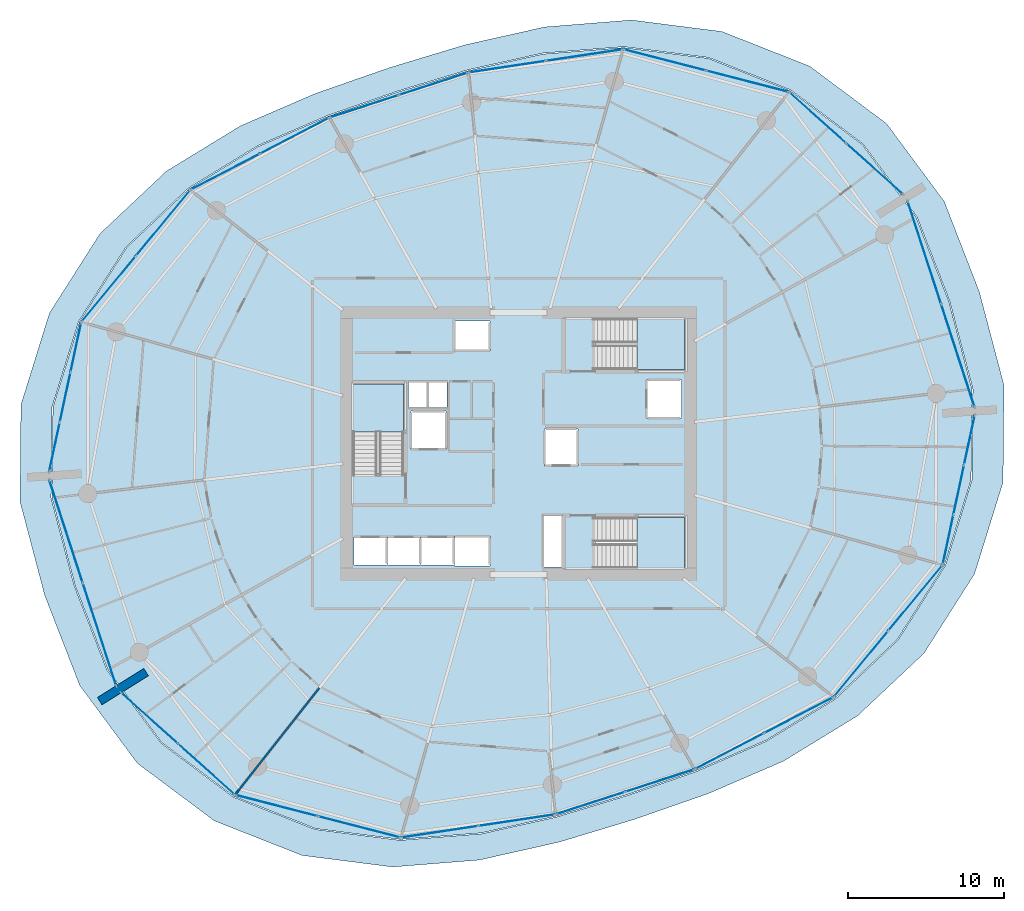
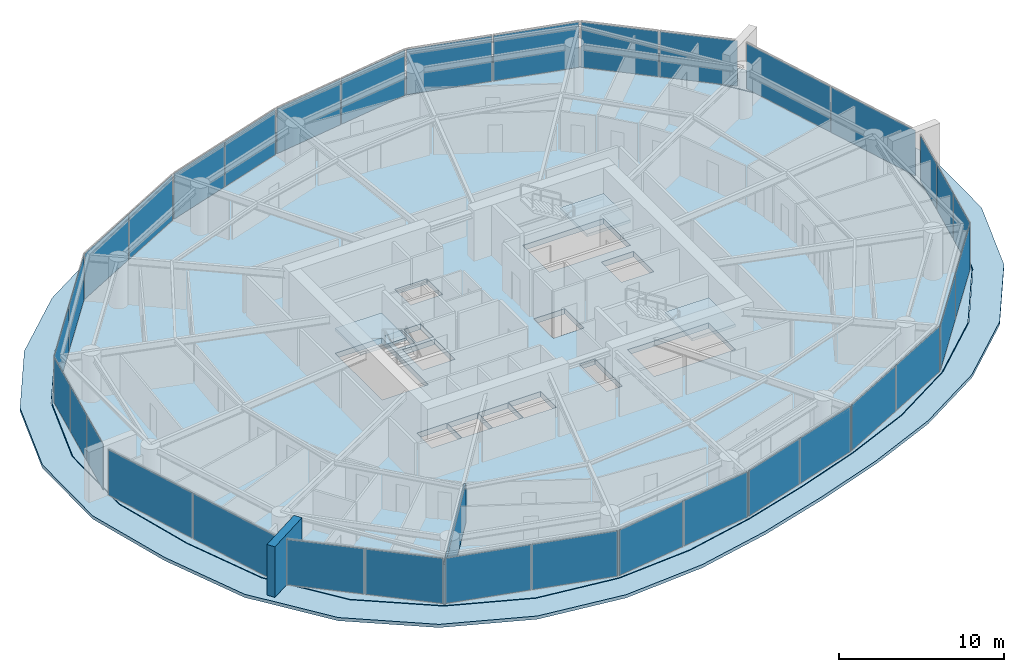
# One storey, part 11 of 17: 34 plates, 5 slabs, 2 walls, 19 elements without a shape of their own.
"""IFC4 building model written with IfcOpenShell, lengths in metres."""

import ifcopenshell
import ifcopenshell.guid

model = None  # the IFC model being written
_history = None  # IfcOwnerHistory: only IFC2X3 demands one
_inside = {}  # id of a spatial element -> (the spatial element, [elements in it])
_under = {}  # id of a project, library or spatial element -> (it, [spatial elements below it])
_declared = {}  # id of a project -> (the project, [libraries it declares])
_typed = {}  # id of a type object -> (the type object, [elements of that type])
_made_of = {}  # id of a material, layer set ... -> (it, [elements and type objects made of it])


def new_model(schema):
    """Start an empty IFC model of exactly this schema.

    Asked for "IFC4X3", IfcOpenShell would pick the latest addendum, in which some entities
    have other attributes; the version numbers below select the first issue.
    IFC2X3 requires an IfcOwnerHistory on every rooted entity: one is made here for all.
    """
    global model, _history
    if schema == "IFC4X3":
        model = ifcopenshell.file(schema_version=(4, 3, 0, 0))
    else:
        model = ifcopenshell.file(schema=schema)
    _inside.clear()
    _under.clear()
    _declared.clear()
    _typed.clear()
    _made_of.clear()
    _history = None
    if model.schema == "IFC2X3":
        org = make("IfcOrganization", Name="unknown")
        user = make(
            "IfcPersonAndOrganization",
            ThePerson=make("IfcPerson", FamilyName="unknown"),
            TheOrganization=org,
        )
        app = make(
            "IfcApplication",
            ApplicationDeveloper=org,
            Version="unknown",
            ApplicationFullName="unknown",
            ApplicationIdentifier="unknown",
        )
        _history = make(
            "IfcOwnerHistory",
            OwningUser=user,
            OwningApplication=app,
            ChangeAction="ADDED",
            CreationDate=0,
        )
    return model


def make(cls, **values):
    """One entity of the class cls with the attributes given. An attribute that is None is left unset."""
    return model.create_entity(
        cls, **{name: value for name, value in values.items() if value is not None}
    )


def rooted(cls, **values):
    """An entity with a GlobalId (a new one), such as an element, a storey or a relation."""
    return make(cls, GlobalId=ifcopenshell.guid.new(), OwnerHistory=_history, **values)


def si_unit(unit_type, name, prefix=None):
    """IfcSIUnit, for example si_unit("LENGTHUNIT", "METRE", prefix="MILLI")."""
    return make("IfcSIUnit", UnitType=unit_type, Prefix=prefix, Name=name)


def assignment(units):
    """IfcUnitAssignment: the units of a project."""
    return None if units is None else make("IfcUnitAssignment", Units=units)


def point(xyz):
    """IfcCartesianPoint."""
    return None if xyz is None else make("IfcCartesianPoint", Coordinates=xyz)


def direction(xyz):
    """IfcDirection."""
    return None if xyz is None else make("IfcDirection", DirectionRatios=xyz)


def frame(location, z_axis=None, x_axis=None):
    """IfcAxis2Placement3D, a coordinate frame: its origin and axes. An axis left out is left unset."""
    return make(
        "IfcAxis2Placement3D",
        Location=point(location),
        Axis=direction(z_axis),
        RefDirection=direction(x_axis),
    )


def frame_2d(location, x_axis=None):
    """IfcAxis2Placement2D, a coordinate frame in the plane: its origin and x axis."""
    return make(
        "IfcAxis2Placement2D", Location=point(location), RefDirection=direction(x_axis)
    )


def origin():
    """The frame at (0, 0, 0) with its axes left unset."""
    return frame((0.0, 0.0, 0.0))


def origin_2d():
    """The frame at (0, 0) in the plane with its x axis left unset."""
    return frame_2d((0.0, 0.0))


def place(relative_to, where):
    """IfcLocalPlacement: puts the frame where relative to a parent placement (None: the world)."""
    return make(
        "IfcLocalPlacement", PlacementRelTo=relative_to, RelativePlacement=where
    )


def context(
    kind, dimensions, precision=None, world=None, true_north=None, identifier=None
):
    """IfcGeometricRepresentationContext, for example the 3D "Model" context."""
    return make(
        "IfcGeometricRepresentationContext",
        ContextIdentifier=identifier,
        ContextType=kind,
        CoordinateSpaceDimension=dimensions,
        Precision=precision,
        WorldCoordinateSystem=world,
        TrueNorth=true_north,
    )


def subcontext(parent, identifier, kind, view, scale=None):
    """IfcGeometricRepresentationSubContext, for example "Body" below "Model"."""
    return make(
        "IfcGeometricRepresentationSubContext",
        ContextIdentifier=identifier,
        ContextType=kind,
        ParentContext=parent,
        TargetScale=scale,
        TargetView=view,
    )


def project(units=None, contexts=None):
    """IfcProject with its units and contexts."""
    return rooted(
        "IfcProject",
        Name="project",
        RepresentationContexts=contexts,
        UnitsInContext=assignment(units),
    )


def spatial(cls, under=None, at=None, **own):
    """A site, building, storey or space (cls), placed at a placement, below another one or the project."""
    s = rooted(cls, ObjectPlacement=at, **own)
    if under is not None:
        _under.setdefault(under.id(), (under, []))[1].append(s)
    return s


def polyline(points):
    """IfcPolyline through the points."""
    return make("IfcPolyline", Points=[point(p) for p in points])


def profile(cls, at=None, kind="AREA", **sizes):
    """A parametric profile (cls). Its sizes go by their IFC names, for example OverallWidth=200.0."""
    return make(cls, ProfileType=kind, Position=at, **sizes)


def rectangle(**sizes):
    """IfcRectangleProfileDef."""
    return profile("IfcRectangleProfileDef", **sizes)


def outline(outer, holes=None, kind="AREA"):
    """IfcArbitraryClosedProfileDef: a profile drawn as a closed curve; with holes, ...WithVoids."""
    if holes is None:
        return make("IfcArbitraryClosedProfileDef", ProfileType=kind, OuterCurve=outer)
    return make(
        "IfcArbitraryProfileDefWithVoids",
        ProfileType=kind,
        OuterCurve=outer,
        InnerCurves=holes,
    )


def extrude(swept, where, along, depth):
    """IfcExtrudedAreaSolid: the profile swept, set in the frame where, extruded along a direction by depth."""
    return make(
        "IfcExtrudedAreaSolid",
        SweptArea=swept,
        Position=where,
        ExtrudedDirection=direction(along),
        Depth=depth,
    )


def shape(context_of_items, identifier, shape_type, items):
    """IfcShapeRepresentation: the items that make up one representation, for example the "Body"."""
    return make(
        "IfcShapeRepresentation",
        ContextOfItems=context_of_items,
        RepresentationIdentifier=identifier,
        RepresentationType=shape_type,
        Items=items,
    )


def material(Name=None, Category=None):
    """IfcMaterial."""
    return make("IfcMaterial", Name=Name, Category=Category)


def layer(
    of_material, thickness, ventilated=None, Name=None, Category=None, Priority=None
):
    """IfcMaterialLayer: one layer of a wall or slab, of a material (None: an air gap)."""
    return make(
        "IfcMaterialLayer",
        Material=of_material,
        LayerThickness=thickness,
        IsVentilated=ventilated,
        Name=Name,
        Category=Category,
        Priority=Priority,
    )


def layer_set(layers, Name=None):
    """IfcMaterialLayerSet."""
    return make("IfcMaterialLayerSet", MaterialLayers=layers, LayerSetName=Name)


def made_of(thing, what):
    """Note that an element or type object is made of a material, layer set ...; save() writes the relation."""
    if what is not None:
        _made_of.setdefault(what.id(), (what, []))[1].append(thing)
    return thing


def type_object(cls, material=None, **own):
    """A type object (cls), such as IfcWallType, which elements share."""
    return made_of(rooted(cls, **own), material)


def element(
    cls,
    number,
    at=None,
    inside=None,
    cuts=None,
    type_object=None,
    material=None,
    context=None,
    identifier="Body",
    shape_type=None,
    held_by="IfcProductDefinitionShape",
    body=None,
    shapes=None,
    **own,
):
    """One element of the class cls, such as IfcWall. Its Tag is "e" and its number.

    at: its placement. inside: the storey or other place that contains it. cuts: it is an
    opening in that element (IfcRelVoidsElement). A single representation is given by context,
    identifier, shape_type and body (its items); several are given by shapes. held_by: the class
    of the entity that holds the representations. save() writes the other relations.
    """
    e = rooted(cls, Tag="e%d" % number, ObjectPlacement=at, **own)
    if body is not None:
        shapes = [shape(context, identifier, shape_type, body)]
    if shapes is not None:
        e.Representation = make(held_by, Representations=shapes)
    if inside is not None:
        _inside.setdefault(inside.id(), (inside, []))[1].append(e)
    if cuts is not None:
        rooted(
            "IfcRelVoidsElement", RelatingBuildingElement=cuts, RelatedOpeningElement=e
        )
    if type_object is not None:
        _typed.setdefault(type_object.id(), (type_object, []))[1].append(e)
    return made_of(e, material)


def aggregate(whole, parts):
    """IfcRelAggregates: a whole, such as a stair, and the parts it consists of."""
    return rooted("IfcRelAggregates", RelatingObject=whole, RelatedObjects=parts)


def save(model, path):
    """Write the relations noted so far, then the file.

    IfcRelAggregates (storeys below a building ...), IfcRelContainedInSpatialStructure (elements
    in a storey), IfcRelDefinesByType, IfcRelAssociatesMaterial and IfcRelDeclares: one each for
    every whole, place, type object, material and project.
    """
    for whole, parts in _under.values():
        aggregate(whole, parts)
    for where, things in _inside.values():
        rooted(
            "IfcRelContainedInSpatialStructure",
            RelatedElements=things,
            RelatingStructure=where,
        )
    for kind, things in _typed.values():
        rooted("IfcRelDefinesByType", RelatedObjects=things, RelatingType=kind)
    for what, things in _made_of.values():
        rooted("IfcRelAssociatesMaterial", RelatedObjects=things, RelatingMaterial=what)
    for by, libraries in _declared.values():
        rooted("IfcRelDeclares", RelatingContext=by, RelatedDefinitions=libraries)
    model.write(path)


model = new_model("IFC4")

# Units and contexts
model_context = context("Model", 3, precision=1e-05, world=origin(), true_north=direction((0.0, 1.0)))
body_context = subcontext(model_context, "Body", "Model", "MODEL_VIEW")
ifc_project = project(units=[si_unit("LENGTHUNIT", "METRE"), si_unit("AREAUNIT", "SQUARE_METRE"), si_unit("VOLUMEUNIT", "CUBIC_METRE"), si_unit("PLANEANGLEUNIT", "RADIAN"), si_unit("MASSUNIT", "GRAM", prefix="KILO")], contexts=[model_context])

# Site, building, storey
site_placement = place(None, origin())
site = spatial("IfcSite", under=ifc_project, at=site_placement, CompositionType="ELEMENT")
building_placement = place(site_placement, origin())
building = spatial("IfcBuilding", under=site, at=building_placement, Name="Kazma Halo Residences", CompositionType="ELEMENT")
storey_placement = place(building_placement, frame((0.0, 0.0, 75.14990234375)))
storey = spatial("IfcBuildingStorey", under=building, at=storey_placement, Name="L18", CompositionType="ELEMENT", Elevation=75.14990234375)

# Curtain wall, plates
ifc_material_1 = material(Name="Aluminium AW-6063 T6 and Triple-Silver Low-E Glass", Category="aluminium")
ifc_layer_1 = layer(ifc_material_1, 0.199951171875)
ifc_layer_set_1 = layer_set([ifc_layer_1], Name="Aluminium AW-6063 T6 and Triple-Silver Low-E Glass")
curtain_wall_type = type_object("IfcCurtainWallType", Name="CW-SYS-3", PredefinedType="NOTDEFINED", material=ifc_layer_set_1)
curtain_wall_1_placement = place(storey_placement, origin())
curtain_wall_1 = element("IfcCurtainWall", 1, at=curtain_wall_1_placement, inside=storey, type_object=curtain_wall_type, Name="L18 unitised curtain wall B01", PredefinedType="NOTDEFINED")
ifc_material_2 = material(Name="Clear Triple-Silver Low-E Glass IGU", Category="glass")
ifc_layer_2 = layer(ifc_material_2, 0.030029296875)
ifc_layer_set_2 = layer_set([ifc_layer_2], Name="Clear Triple-Silver Low-E Glass IGU")
plate_type = type_object("IfcPlateType", Name="CW-SYS-3-PNL", PredefinedType="CURTAIN_PANEL", material=ifc_layer_set_2)
plate_1_placement = place(storey_placement, frame((71.251220703125, 59.614013671875, 0.06982421875), z_axis=(0.0, 0.0, 1.0), x_axis=(-0.744345279359, 0.667794957375, 0.0)))
plate_1 = element("IfcPlate", 2, at=plate_1_placement, type_object=plate_type, Name="CWS-3 panel 1.1", PredefinedType="CURTAIN_PANEL", context=body_context, shape_type="SweptSolid", body=[
    extrude(rectangle(XDim=4.81982421875, YDim=0.030029296875, at=origin_2d()), origin(), (0.0, 0.0, 1.0), 3.360107421875),
])
plate_2_placement = place(storey_placement, frame((67.611572265625, 62.87939453125, 0.06982421875), z_axis=(0.0, 0.0, 1.0), x_axis=(-0.744345279359, 0.667794957375, 0.0)))
plate_2 = element("IfcPlate", 3, at=plate_2_placement, type_object=plate_type, Name="CWS-3 panel 2.1", PredefinedType="CURTAIN_PANEL", context=body_context, shape_type="SweptSolid", body=[
    extrude(rectangle(XDim=4.81982421875, YDim=0.030029296875, at=origin_2d()), origin(), (0.0, 0.0, 1.0), 3.360107421875),
])
aggregate(curtain_wall_1, [plate_1, plate_2])

curtain_wall_2_placement = place(storey_placement, origin())
curtain_wall_2 = element("IfcCurtainWall", 4, at=curtain_wall_2_placement, inside=storey, type_object=curtain_wall_type, Name="L18 unitised curtain wall B02", PredefinedType="NOTDEFINED")
plate_3_placement = place(storey_placement, frame((63.08935546875, 65.22509765625, 0.06982421875), z_axis=(0.0, 0.0, 1.0), x_axis=(-0.968356145727, 0.249572384355, 0.0)))
plate_3 = element("IfcPlate", 5, at=plate_3_placement, type_object=plate_type, Name="CWS-3 panel 1.1", PredefinedType="CURTAIN_PANEL", context=body_context, shape_type="SweptSolid", body=[
    extrude(rectangle(XDim=5.38720703125, YDim=0.030029296875, at=origin_2d()), origin(), (0.0, 0.0, 1.0), 3.360107421875),
])
plate_4_placement = place(storey_placement, frame((57.804931640625, 66.587158203125, 0.06982421875), z_axis=(0.0, 0.0, 1.0), x_axis=(-0.968356145727, 0.249572384355, 0.0)))
plate_4 = element("IfcPlate", 6, at=plate_4_placement, type_object=plate_type, Name="CWS-3 panel 2.1", PredefinedType="CURTAIN_PANEL", context=body_context, shape_type="SweptSolid", body=[
    extrude(rectangle(XDim=5.38720703125, YDim=0.030029296875, at=origin_2d()), origin(), (0.0, 0.0, 1.0), 3.360107421875),
])
aggregate(curtain_wall_2, [plate_3, plate_4])

curtain_wall_3_placement = place(storey_placement, origin())
curtain_wall_3 = element("IfcCurtainWall", 7, at=curtain_wall_3_placement, inside=storey, type_object=curtain_wall_type, Name="L18 unitised curtain wall B03", PredefinedType="NOTDEFINED")
plate_5_placement = place(storey_placement, frame((52.625732421875, 66.900390625, 0.06982421875), z_axis=(0.0, 0.0, 1.0), x_axis=(-0.988879747814, -0.148717330409, 0.0)))
plate_5 = element("IfcPlate", 8, at=plate_5_placement, type_object=plate_type, Name="CWS-3 panel 1.1", PredefinedType="CURTAIN_PANEL", context=body_context, shape_type="SweptSolid", body=[
    extrude(rectangle(XDim=4.922607421875, YDim=0.030029296875, at=origin_2d()), origin(), (0.0, 0.0, 1.0), 3.360107421875),
])
plate_6_placement = place(storey_placement, frame((47.6884765625, 66.157958984375, 0.06982421875), z_axis=(0.0, 0.0, 1.0), x_axis=(-0.988879747814, -0.148717330409, 0.0)))
plate_6 = element("IfcPlate", 9, at=plate_6_placement, type_object=plate_type, Name="CWS-3 panel 2.1", PredefinedType="CURTAIN_PANEL", context=body_context, shape_type="SweptSolid", body=[
    extrude(rectangle(XDim=4.922607421875, YDim=0.030029296875, at=origin_2d()), origin(), (0.0, 0.0, 1.0), 3.360107421875),
])
aggregate(curtain_wall_3, [plate_5, plate_6])

curtain_wall_4_placement = place(storey_placement, origin())
curtain_wall_4 = element("IfcCurtainWall", 10, at=curtain_wall_4_placement, inside=storey, type_object=curtain_wall_type, Name="L18 unitised curtain wall B04", PredefinedType="NOTDEFINED")
plate_7_placement = place(storey_placement, frame((42.947021484375, 65.05419921875, 0.06982421875), z_axis=(0.0, 0.0, 1.0), x_axis=(-0.951056481087, -0.309017102734, 0.0)))
plate_7 = element("IfcPlate", 11, at=plate_7_placement, type_object=plate_type, Name="CWS-3 panel 1.1", PredefinedType="CURTAIN_PANEL", context=body_context, shape_type="SweptSolid", body=[
    extrude(rectangle(XDim=4.56689453125, YDim=0.030029296875, at=origin_2d()), origin(), (0.0, 0.0, 1.0), 3.360107421875),
])
plate_8_placement = place(storey_placement, frame((38.537109375, 63.621337890625, 0.06982421875), z_axis=(0.0, 0.0, 1.0), x_axis=(-0.951056481087, -0.309017102734, 0.0)))
plate_8 = element("IfcPlate", 12, at=plate_8_placement, type_object=plate_type, Name="CWS-3 panel 2.1", PredefinedType="CURTAIN_PANEL", context=body_context, shape_type="SweptSolid", body=[
    extrude(rectangle(XDim=4.56689453125, YDim=0.030029296875, at=origin_2d()), origin(), (0.0, 0.0, 1.0), 3.360107421875),
])
aggregate(curtain_wall_4, [plate_7, plate_8])

curtain_wall_5_placement = place(storey_placement, origin())
curtain_wall_5 = element("IfcCurtainWall", 13, at=curtain_wall_5_placement, inside=storey, type_object=curtain_wall_type, Name="L18 unitised curtain wall B05", PredefinedType="NOTDEFINED")
plate_9_placement = place(storey_placement, frame((34.052490234375, 61.727294921875, 0.06982421875), z_axis=(0.0, 0.0, 1.0), x_axis=(-0.887435374749, -0.460932159481, 0.0)))
plate_9 = element("IfcPlate", 14, at=plate_9_placement, type_object=plate_type, Name="CWS-3 panel 1.1", PredefinedType="CURTAIN_PANEL", context=body_context, shape_type="SweptSolid", body=[
    extrude(rectangle(XDim=4.9228515625, YDim=0.030029296875, at=origin_2d()), origin(), (0.0, 0.0, 1.0), 3.360107421875),
])
plate_10_placement = place(storey_placement, frame((29.62158203125, 59.426025390625, 0.06982421875), z_axis=(0.0, 0.0, 1.0), x_axis=(-0.887435374749, -0.460932159481, 0.0)))
plate_10 = element("IfcPlate", 15, at=plate_10_placement, type_object=plate_type, Name="CWS-3 panel 2.1", PredefinedType="CURTAIN_PANEL", context=body_context, shape_type="SweptSolid", body=[
    extrude(rectangle(XDim=4.9228515625, YDim=0.030029296875, at=origin_2d()), origin(), (0.0, 0.0, 1.0), 3.360107421875),
])
aggregate(curtain_wall_5, [plate_9, plate_10])

curtain_wall_6_placement = place(storey_placement, origin())
curtain_wall_6 = element("IfcCurtainWall", 16, at=curtain_wall_6_placement, inside=storey, type_object=curtain_wall_type, Name="L18 unitised curtain wall B06", PredefinedType="NOTDEFINED")
plate_11_placement = place(storey_placement, frame((25.615478515625, 56.128173828125, 0.06982421875), z_axis=(0.0, 0.0, 1.0), x_axis=(-0.636720508179, -0.771094672829, 0.0)))
plate_11 = element("IfcPlate", 17, at=plate_11_placement, type_object=plate_type, Name="CWS-3 panel 1.1", PredefinedType="CURTAIN_PANEL", context=body_context, shape_type="SweptSolid", body=[
    extrude(rectangle(XDim=5.38720703125, YDim=0.030029296875, at=origin_2d()), origin(), (0.0, 0.0, 1.0), 3.360107421875),
])
plate_12_placement = place(storey_placement, frame((22.140869140625, 51.920166015625, 0.06982421875), z_axis=(0.0, 0.0, 1.0), x_axis=(-0.636720508179, -0.771094672829, 0.0)))
plate_12 = element("IfcPlate", 18, at=plate_12_placement, type_object=plate_type, Name="CWS-3 panel 2.1", PredefinedType="CURTAIN_PANEL", context=body_context, shape_type="SweptSolid", body=[
    extrude(rectangle(XDim=5.38720703125, YDim=0.030029296875, at=origin_2d()), origin(), (0.0, 0.0, 1.0), 3.360107421875),
])
aggregate(curtain_wall_6, [plate_11, plate_12])

curtain_wall_7_placement = place(storey_placement, origin())
curtain_wall_7 = element("IfcCurtainWall", 19, at=curtain_wall_7_placement, inside=storey, type_object=curtain_wall_type, Name="L18 unitised curtain wall B07", PredefinedType="NOTDEFINED")
plate_13_placement = place(storey_placement, frame((20.033447265625, 48.1669921875, 0.06982421875), z_axis=(0.0, 0.0, 1.0), x_axis=(-0.209660822677, -0.977774176093, 0.0)))
plate_13 = element("IfcPlate", 20, at=plate_13_placement, type_object=plate_type, Name="CWS-3 panel 1.1", PredefinedType="CURTAIN_PANEL", context=body_context, shape_type="SweptSolid", body=[
    extrude(rectangle(XDim=3.17822265625, YDim=0.030029296875, at=origin_2d()), origin(), (0.0, 0.0, 1.0), 3.360107421875),
])
plate_14_placement = place(storey_placement, frame((19.3486328125, 44.973876953125, 0.06982421875), z_axis=(0.0, 0.0, 1.0), x_axis=(-0.209660822677, -0.977774176093, 0.0)))
plate_14 = element("IfcPlate", 21, at=plate_14_placement, type_object=plate_type, Name="CWS-3 panel 2.1", PredefinedType="CURTAIN_PANEL", context=body_context, shape_type="SweptSolid", body=[
    extrude(rectangle(XDim=3.213134765625, YDim=0.030029296875, at=origin_2d()), origin(), (0.0, 0.0, 1.0), 3.360107421875),
])
plate_15_placement = place(storey_placement, frame((18.6640625, 41.78076171875, 0.06982421875), z_axis=(0.0, 0.0, 1.0), x_axis=(-0.209660822677, -0.977774176093, 0.0)))
plate_15 = element("IfcPlate", 22, at=plate_15_placement, type_object=plate_type, Name="CWS-3 panel 3.1", PredefinedType="CURTAIN_PANEL", context=body_context, shape_type="SweptSolid", body=[
    extrude(rectangle(XDim=3.17822265625, YDim=0.030029296875, at=origin_2d()), origin(), (0.0, 0.0, 1.0), 3.360107421875),
])
aggregate(curtain_wall_7, [plate_13, plate_14, plate_15])

curtain_wall_8_placement = place(storey_placement, origin())
curtain_wall_8 = element("IfcCurtainWall", 23, at=curtain_wall_8_placement, inside=storey, type_object=curtain_wall_type, Name="L18 unitised curtain wall B08", PredefinedType="NOTDEFINED")
plate_16_placement = place(storey_placement, frame((19.40673828125, 36.357421875, 0.06982421875), z_axis=(0.0, 0.0, 1.0), x_axis=(0.309013282008, -0.951057722508, 0.0)))
plate_16 = element("IfcPlate", 24, at=plate_16_placement, type_object=plate_type, Name="CWS-3 panel 1.1", PredefinedType="CURTAIN_PANEL", context=body_context, shape_type="SweptSolid", body=[
    extrude(rectangle(XDim=6.868896484375, YDim=0.030029296875, at=origin_2d()), origin(), (0.0, 0.0, 1.0), 3.360107421875),
])
plate_17_placement = place(storey_placement, frame((21.551025390625, 29.758056640625, 0.06982421875), z_axis=(0.0, 0.0, 1.0), x_axis=(0.309013282008, -0.951057722508, 0.0)))
plate_17 = element("IfcPlate", 25, at=plate_17_placement, type_object=plate_type, Name="CWS-3 panel 2.1", PredefinedType="CURTAIN_PANEL", context=body_context, shape_type="SweptSolid", body=[
    extrude(rectangle(XDim=6.868896484375, YDim=0.030029296875, at=origin_2d()), origin(), (0.0, 0.0, 1.0), 3.360107421875),
])
aggregate(curtain_wall_8, [plate_16, plate_17])

curtain_wall_9_placement = place(storey_placement, origin())
curtain_wall_9 = element("IfcCurtainWall", 26, at=curtain_wall_9_placement, inside=storey, type_object=curtain_wall_type, Name="L18 unitised curtain wall B09", PredefinedType="NOTDEFINED")
plate_18_placement = place(storey_placement, frame((24.748779296875, 24.385986328125, 0.06982421875), z_axis=(0.0, 0.0, 1.0), x_axis=(0.744345279359, -0.667794957375, 0.0)))
plate_18 = element("IfcPlate", 27, at=plate_18_placement, type_object=plate_type, Name="CWS-3 panel 1.1", PredefinedType="CURTAIN_PANEL", context=body_context, shape_type="SweptSolid", body=[
    extrude(rectangle(XDim=4.81982421875, YDim=0.030029296875, at=origin_2d()), origin(), (0.0, 0.0, 1.0), 3.360107421875),
])
plate_19_placement = place(storey_placement, frame((28.388427734375, 21.12060546875, 0.06982421875), z_axis=(0.0, 0.0, 1.0), x_axis=(0.744345279359, -0.667794957375, 0.0)))
plate_19 = element("IfcPlate", 28, at=plate_19_placement, type_object=plate_type, Name="CWS-3 panel 2.1", PredefinedType="CURTAIN_PANEL", context=body_context, shape_type="SweptSolid", body=[
    extrude(rectangle(XDim=4.81982421875, YDim=0.030029296875, at=origin_2d()), origin(), (0.0, 0.0, 1.0), 3.360107421875),
])
aggregate(curtain_wall_9, [plate_18, plate_19])

curtain_wall_10_placement = place(storey_placement, origin())
curtain_wall_10 = element("IfcCurtainWall", 29, at=curtain_wall_10_placement, inside=storey, type_object=curtain_wall_type, Name="L18 unitised curtain wall B10", PredefinedType="NOTDEFINED")
plate_20_placement = place(storey_placement, frame((32.91064453125, 18.77490234375, 0.06982421875), z_axis=(0.0, 0.0, 1.0), x_axis=(0.968356145727, -0.249572384355, 0.0)))
plate_20 = element("IfcPlate", 30, at=plate_20_placement, type_object=plate_type, Name="CWS-3 panel 1.1", PredefinedType="CURTAIN_PANEL", context=body_context, shape_type="SweptSolid", body=[
    extrude(rectangle(XDim=5.38720703125, YDim=0.030029296875, at=origin_2d()), origin(), (0.0, 0.0, 1.0), 3.360107421875),
])
plate_21_placement = place(storey_placement, frame((38.195068359375, 17.412841796875, 0.06982421875), z_axis=(0.0, 0.0, 1.0), x_axis=(0.968356145727, -0.249572384355, 0.0)))
plate_21 = element("IfcPlate", 31, at=plate_21_placement, type_object=plate_type, Name="CWS-3 panel 2.1", PredefinedType="CURTAIN_PANEL", context=body_context, shape_type="SweptSolid", body=[
    extrude(rectangle(XDim=5.38720703125, YDim=0.030029296875, at=origin_2d()), origin(), (0.0, 0.0, 1.0), 3.360107421875),
])
aggregate(curtain_wall_10, [plate_20, plate_21])

curtain_wall_11_placement = place(storey_placement, origin())
curtain_wall_11 = element("IfcCurtainWall", 32, at=curtain_wall_11_placement, inside=storey, type_object=curtain_wall_type, Name="L18 unitised curtain wall B11", PredefinedType="NOTDEFINED")
plate_22_placement = place(storey_placement, frame((43.374267578125, 17.099609375, 0.06982421875), z_axis=(0.0, 0.0, 1.0), x_axis=(0.988879747814, 0.148717330409, 0.0)))
plate_22 = element("IfcPlate", 33, at=plate_22_placement, type_object=plate_type, Name="CWS-3 panel 1.1", PredefinedType="CURTAIN_PANEL", context=body_context, shape_type="SweptSolid", body=[
    extrude(rectangle(XDim=4.922607421875, YDim=0.030029296875, at=origin_2d()), origin(), (0.0, 0.0, 1.0), 3.360107421875),
])
plate_23_placement = place(storey_placement, frame((48.3115234375, 17.842041015625, 0.06982421875), z_axis=(0.0, 0.0, 1.0), x_axis=(0.988879747814, 0.148717330409, 0.0)))
plate_23 = element("IfcPlate", 34, at=plate_23_placement, type_object=plate_type, Name="CWS-3 panel 2.1", PredefinedType="CURTAIN_PANEL", context=body_context, shape_type="SweptSolid", body=[
    extrude(rectangle(XDim=4.922607421875, YDim=0.030029296875, at=origin_2d()), origin(), (0.0, 0.0, 1.0), 3.360107421875),
])
aggregate(curtain_wall_11, [plate_22, plate_23])

curtain_wall_12_placement = place(storey_placement, origin())
curtain_wall_12 = element("IfcCurtainWall", 35, at=curtain_wall_12_placement, inside=storey, type_object=curtain_wall_type, Name="L18 unitised curtain wall B12", PredefinedType="NOTDEFINED")
plate_24_placement = place(storey_placement, frame((53.052978515625, 18.94580078125, 0.06982421875), z_axis=(0.0, 0.0, 1.0), x_axis=(0.951056481087, 0.309017102734, 0.0)))
plate_24 = element("IfcPlate", 36, at=plate_24_placement, type_object=plate_type, Name="CWS-3 panel 1.1", PredefinedType="CURTAIN_PANEL", context=body_context, shape_type="SweptSolid", body=[
    extrude(rectangle(XDim=4.56689453125, YDim=0.030029296875, at=origin_2d()), origin(), (0.0, 0.0, 1.0), 3.360107421875),
])
plate_25_placement = place(storey_placement, frame((57.462890625, 20.378662109375, 0.06982421875), z_axis=(0.0, 0.0, 1.0), x_axis=(0.951056481087, 0.309017102734, 0.0)))
plate_25 = element("IfcPlate", 37, at=plate_25_placement, type_object=plate_type, Name="CWS-3 panel 2.1", PredefinedType="CURTAIN_PANEL", context=body_context, shape_type="SweptSolid", body=[
    extrude(rectangle(XDim=4.56689453125, YDim=0.030029296875, at=origin_2d()), origin(), (0.0, 0.0, 1.0), 3.360107421875),
])
aggregate(curtain_wall_12, [plate_24, plate_25])

curtain_wall_13_placement = place(storey_placement, origin())
curtain_wall_13 = element("IfcCurtainWall", 38, at=curtain_wall_13_placement, inside=storey, type_object=curtain_wall_type, Name="L18 unitised curtain wall B13", PredefinedType="NOTDEFINED")
plate_26_placement = place(storey_placement, frame((61.947509765625, 22.272705078125, 0.06982421875), z_axis=(0.0, 0.0, 1.0), x_axis=(0.887435374749, 0.460932159481, 0.0)))
plate_26 = element("IfcPlate", 39, at=plate_26_placement, type_object=plate_type, Name="CWS-3 panel 1.1", PredefinedType="CURTAIN_PANEL", context=body_context, shape_type="SweptSolid", body=[
    extrude(rectangle(XDim=4.9228515625, YDim=0.030029296875, at=origin_2d()), origin(), (0.0, 0.0, 1.0), 3.360107421875),
])
plate_27_placement = place(storey_placement, frame((66.37841796875, 24.573974609375, 0.06982421875), z_axis=(0.0, 0.0, 1.0), x_axis=(0.887435374749, 0.460932159481, 0.0)))
plate_27 = element("IfcPlate", 40, at=plate_27_placement, type_object=plate_type, Name="CWS-3 panel 2.1", PredefinedType="CURTAIN_PANEL", context=body_context, shape_type="SweptSolid", body=[
    extrude(rectangle(XDim=4.9228515625, YDim=0.030029296875, at=origin_2d()), origin(), (0.0, 0.0, 1.0), 3.360107421875),
])
aggregate(curtain_wall_13, [plate_26, plate_27])

curtain_wall_14_placement = place(storey_placement, origin())
curtain_wall_14 = element("IfcCurtainWall", 41, at=curtain_wall_14_placement, inside=storey, type_object=curtain_wall_type, Name="L18 unitised curtain wall B14", PredefinedType="NOTDEFINED")
plate_28_placement = place(storey_placement, frame((70.384521484375, 27.871826171875, 0.06982421875), z_axis=(0.0, 0.0, 1.0), x_axis=(0.636720508179, 0.771094672829, 0.0)))
plate_28 = element("IfcPlate", 42, at=plate_28_placement, type_object=plate_type, Name="CWS-3 panel 1.1", PredefinedType="CURTAIN_PANEL", context=body_context, shape_type="SweptSolid", body=[
    extrude(rectangle(XDim=5.38720703125, YDim=0.030029296875, at=origin_2d()), origin(), (0.0, 0.0, 1.0), 3.360107421875),
])
plate_29_placement = place(storey_placement, frame((73.859130859375, 32.079833984375, 0.06982421875), z_axis=(0.0, 0.0, 1.0), x_axis=(0.636720508179, 0.771094672829, 0.0)))
plate_29 = element("IfcPlate", 43, at=plate_29_placement, type_object=plate_type, Name="CWS-3 panel 2.1", PredefinedType="CURTAIN_PANEL", context=body_context, shape_type="SweptSolid", body=[
    extrude(rectangle(XDim=5.38720703125, YDim=0.030029296875, at=origin_2d()), origin(), (0.0, 0.0, 1.0), 3.360107421875),
])
aggregate(curtain_wall_14, [plate_28, plate_29])

curtain_wall_15_placement = place(storey_placement, origin())
curtain_wall_15 = element("IfcCurtainWall", 44, at=curtain_wall_15_placement, inside=storey, type_object=curtain_wall_type, Name="L18 unitised curtain wall B15", PredefinedType="NOTDEFINED")
plate_30_placement = place(storey_placement, frame((75.966552734375, 35.8330078125, 0.06982421875), z_axis=(0.0, 0.0, 1.0), x_axis=(0.209660822677, 0.977774176093, 0.0)))
plate_30 = element("IfcPlate", 45, at=plate_30_placement, type_object=plate_type, Name="CWS-3 panel 1.1", PredefinedType="CURTAIN_PANEL", context=body_context, shape_type="SweptSolid", body=[
    extrude(rectangle(XDim=3.17822265625, YDim=0.030029296875, at=origin_2d()), origin(), (0.0, 0.0, 1.0), 3.360107421875),
])
plate_31_placement = place(storey_placement, frame((76.6513671875, 39.026123046875, 0.06982421875), z_axis=(0.0, 0.0, 1.0), x_axis=(0.209660822677, 0.977774176093, 0.0)))
plate_31 = element("IfcPlate", 46, at=plate_31_placement, type_object=plate_type, Name="CWS-3 panel 2.1", PredefinedType="CURTAIN_PANEL", context=body_context, shape_type="SweptSolid", body=[
    extrude(rectangle(XDim=3.213134765625, YDim=0.030029296875, at=origin_2d()), origin(), (0.0, 0.0, 1.0), 3.360107421875),
])
plate_32_placement = place(storey_placement, frame((77.3359375, 42.21923828125, 0.06982421875), z_axis=(0.0, 0.0, 1.0), x_axis=(0.209660822677, 0.977774176093, 0.0)))
plate_32 = element("IfcPlate", 47, at=plate_32_placement, type_object=plate_type, Name="CWS-3 panel 3.1", PredefinedType="CURTAIN_PANEL", context=body_context, shape_type="SweptSolid", body=[
    extrude(rectangle(XDim=3.17822265625, YDim=0.030029296875, at=origin_2d()), origin(), (0.0, 0.0, 1.0), 3.360107421875),
])
aggregate(curtain_wall_15, [plate_30, plate_31, plate_32])

curtain_wall_16_placement = place(storey_placement, origin())
curtain_wall_16 = element("IfcCurtainWall", 48, at=curtain_wall_16_placement, inside=storey, type_object=curtain_wall_type, Name="L18 unitised curtain wall B16", PredefinedType="NOTDEFINED")
plate_33_placement = place(storey_placement, frame((76.59326171875, 47.642578125, 0.06982421875), z_axis=(0.0, 0.0, 1.0), x_axis=(-0.309013282008, 0.951057722508, 0.0)))
plate_33 = element("IfcPlate", 49, at=plate_33_placement, type_object=plate_type, Name="CWS-3 panel 1.1", PredefinedType="CURTAIN_PANEL", context=body_context, shape_type="SweptSolid", body=[
    extrude(rectangle(XDim=6.868896484375, YDim=0.030029296875, at=origin_2d()), origin(), (0.0, 0.0, 1.0), 3.360107421875),
])
plate_34_placement = place(storey_placement, frame((74.448974609375, 54.241943359375, 0.06982421875), z_axis=(0.0, 0.0, 1.0), x_axis=(-0.309013282008, 0.951057722508, 0.0)))
plate_34 = element("IfcPlate", 50, at=plate_34_placement, type_object=plate_type, Name="CWS-3 panel 2.1", PredefinedType="CURTAIN_PANEL", context=body_context, shape_type="SweptSolid", body=[
    extrude(rectangle(XDim=6.868896484375, YDim=0.030029296875, at=origin_2d()), origin(), (0.0, 0.0, 1.0), 3.360107421875),
])
aggregate(curtain_wall_16, [plate_33, plate_34])

# Slab
ifc_material_3 = material(Name="Concrete C50/60", Category="concrete")
ifc_layer_3 = layer(ifc_material_3, 0.239990234375)
ifc_layer_set_3 = layer_set([ifc_layer_3], Name="Concrete C50/60")
slab_type_1 = type_object("IfcSlabType", Name="SLB-ROOF-240", PredefinedType="ROOF", material=ifc_layer_set_3)
slab_1_placement = place(storey_placement, frame((0.0, 0.0, -0.239990234375)))
element("IfcSlab", 51, at=slab_1_placement, inside=storey, type_object=slab_type_1, Name="L18 extensive green roof maintenance apron", PredefinedType="ROOF", context=body_context, shape_type="SweptSolid", body=[
    extrude(outline(polyline([(77.9677734375, 51.737060546875), (75.719970703125, 57.52392578125), (72.02099609375, 62.51611328125), (67.080078125, 66.202880859375), (61.460693359375, 68.418212890625), (55.6591796875, 69.15771484375), (50.102294921875, 68.713134765625), (44.974609375, 67.562255859375), (40.16650390625, 66.109375), (35.422607421875, 64.45849609375), (30.597412109375, 62.375732421875), (25.8408203125, 59.468994140625), (21.581787109375, 55.460693359375), (18.337890625, 50.365478515625), (16.507568359375, 44.478515625), (16.449462890625, 38.265625), (18.0322265625, 32.262939453125), (20.280029296875, 26.47607421875), (23.97900390625, 21.48388671875), (28.919921875, 17.797119140625), (34.539306640625, 15.581787109375), (40.3408203125, 14.84228515625), (45.897705078125, 15.286865234375), (51.025390625, 16.437744140625), (55.83349609375, 17.890625), (60.577392578125, 19.54150390625), (65.402587890625, 21.624267578125), (70.1591796875, 24.531005859375), (74.418212890625, 28.539306640625), (77.662109375, 33.634521484375), (79.492431640625, 39.521484375), (79.550537109375, 45.734375), (77.9677734375, 51.737060546875)]), holes=[polyline([(76.0673828125, 51.11962890625), (73.961669921875, 56.539306640625), (70.497802734375, 61.21484375), (65.870849609375, 64.6689453125), (60.608642578125, 66.74560546875), (55.175048828125, 67.4404296875), (49.969482421875, 67.026611328125), (45.165283203125, 65.9501953125), (40.66015625, 64.589599609375), (36.2158203125, 63.04248046875), (31.6962890625, 61.08935546875), (27.24169921875, 58.364501953125), (23.25439453125, 54.608642578125), (20.2177734375, 49.83544921875), (18.504638671875, 44.3212890625), (18.45068359375, 38.502685546875), (19.9326171875, 32.88037109375), (22.038330078125, 27.460693359375), (25.502197265625, 22.78515625), (30.129150390625, 19.3310546875), (35.391357421875, 17.25439453125), (40.824951171875, 16.5595703125), (46.030517578125, 16.973388671875), (50.834716796875, 18.0498046875), (55.33984375, 19.410400390625), (59.7841796875, 20.95751953125), (64.3037109375, 22.91064453125), (68.75830078125, 25.635498046875), (72.74560546875, 29.391357421875), (75.7822265625, 34.16455078125), (77.495361328125, 39.6787109375), (77.54931640625, 45.497314453125), (76.0673828125, 51.11962890625)])]), origin(), (0.0, 0.0, 1.0), 0.239990234375),
])

# Stair, slab
stair_type = type_object("IfcStairType", Name="STR-RES1", PredefinedType="HALF_TURN_STAIR", material=ifc_material_3)
stair_1_placement = place(storey_placement, origin())
stair_1 = element("IfcStair", 52, at=stair_1_placement, inside=storey, type_object=stair_type, Name="L18 Core exit stair ST-01", PredefinedType="HALF_TURN_STAIR")
ifc_layer_4 = layer(ifc_material_3, 0.199951171875)
ifc_layer_set_4 = layer_set([ifc_layer_4], Name="Concrete C50/60")
slab_type_2 = type_object("IfcSlabType", Name="SLB-STAIR-LND-200", PredefinedType="LANDING", material=ifc_layer_set_4)
slab_2_placement = place(storey_placement, frame((0.0, 0.0, 1.675048828125)))
slab_2 = element("IfcSlab", 53, at=slab_2_placement, type_object=slab_type_2, Name="ST-01 landing 1", PredefinedType="LANDING", context=body_context, shape_type="SweptSolid", body=[
    extrude(outline(polyline([(41.050048828125, 42.75), (41.050048828125, 45.800048828125), (37.800048828125, 45.800048828125), (37.800048828125, 42.75), (41.050048828125, 42.75)])), origin(), (0.0, 0.0, 1.0), 0.199951171875),
])
aggregate(stair_1, [slab_2])

stair_2_placement = place(storey_placement, origin())
stair_2 = element("IfcStair", 54, at=stair_2_placement, inside=storey, type_object=stair_type, Name="L18 Core exit stair ST-02", PredefinedType="HALF_TURN_STAIR")
slab_3_placement = place(storey_placement, frame((0.0, 0.0, 1.675048828125)))
slab_3 = element("IfcSlab", 55, at=slab_3_placement, type_object=slab_type_2, Name="ST-02 landing 1", PredefinedType="LANDING", context=body_context, shape_type="SweptSolid", body=[
    extrude(outline(polyline([(56.0, 46.75), (59.050048828125, 46.75), (59.050048828125, 50.0), (56.0, 50.0), (56.0, 46.75)])), origin(), (0.0, 0.0, 1.0), 0.199951171875),
])
aggregate(stair_2, [slab_3])

stair_3_placement = place(storey_placement, origin())
stair_3 = element("IfcStair", 56, at=stair_3_placement, inside=storey, type_object=stair_type, Name="L18 Core exit stair ST-03", PredefinedType="HALF_TURN_STAIR")
slab_4_placement = place(storey_placement, frame((0.0, 0.0, 1.675048828125)))
slab_4 = element("IfcSlab", 57, at=slab_4_placement, type_object=slab_type_2, Name="ST-03 landing 1", PredefinedType="LANDING", context=body_context, shape_type="SweptSolid", body=[
    extrude(outline(polyline([(56.0, 34.0), (59.050048828125, 34.0), (59.050048828125, 37.25), (56.0, 37.25), (56.0, 34.0)])), origin(), (0.0, 0.0, 1.0), 0.199951171875),
])
aggregate(stair_3, [slab_4])

# Slab
ifc_material_4 = material(Name="Concrete C60/75", Category="concrete")
ifc_layer_5 = layer(ifc_material_4, 0.39990234375)
ifc_layer_set_5 = layer_set([ifc_layer_5], Name="Concrete C60/75")
slab_type_3 = type_object("IfcSlabType", Name="SLB-TRANS-400", PredefinedType="FLOOR", material=ifc_layer_set_5)
slab_5_placement = place(storey_placement, frame((0.0, 0.0, -0.39990234375)))
element("IfcSlab", 58, at=slab_5_placement, inside=storey, type_object=slab_type_3, Name="L18 structural floor slab", PredefinedType="FLOOR", context=body_context, shape_type="SweptSolid", body=[
    extrude(outline(polyline([(76.02001953125, 51.104248046875), (73.918212890625, 56.514892578125), (70.459716796875, 61.182373046875), (65.83984375, 64.629638671875), (60.5859375, 66.701171875), (55.161376953125, 67.392333984375), (49.9658203125, 66.976806640625), (45.171142578125, 65.900634765625), (40.675537109375, 64.542236328125), (36.239990234375, 62.998779296875), (31.728759765625, 61.05126953125), (27.281005859375, 58.33349609375), (23.298828125, 54.5859375), (20.265869140625, 49.82177734375), (18.554443359375, 44.3173828125), (18.500244140625, 38.508544921875), (19.97998046875, 32.895751953125), (22.081787109375, 27.485107421875), (25.540283203125, 22.817626953125), (30.16015625, 19.370361328125), (35.4140625, 17.298828125), (40.838623046875, 16.607666015625), (46.0341796875, 17.023193359375), (50.828857421875, 18.099365234375), (55.324462890625, 19.457763671875), (59.760009765625, 21.001220703125), (64.271240234375, 22.94873046875), (68.718994140625, 25.66650390625), (72.701171875, 29.4140625), (75.734130859375, 34.17822265625), (77.445556640625, 39.6826171875), (77.499755859375, 45.491455078125), (76.02001953125, 51.104248046875)]), holes=[polyline([(37.800048828125, 40.110107421875), (41.050048828125, 40.110107421875), (41.050048828125, 45.800048828125), (37.800048828125, 45.800048828125), (37.800048828125, 40.110107421875)]), polyline([(53.360107421875, 46.75), (59.050048828125, 46.75), (59.050048828125, 50.0), (53.360107421875, 50.0), (53.360107421875, 46.75)]), polyline([(53.360107421875, 34.0), (59.050048828125, 34.0), (59.050048828125, 37.25), (53.360107421875, 37.25), (53.360107421875, 34.0)]), polyline([(41.52001953125, 41.6201171875), (43.780029296875, 41.6201171875), (43.780029296875, 44.080078125), (41.52001953125, 44.080078125), (41.52001953125, 41.6201171875)]), polyline([(56.6201171875, 43.6201171875), (58.8798828125, 43.6201171875), (58.8798828125, 46.080078125), (56.6201171875, 46.080078125), (56.6201171875, 43.6201171875)]), polyline([(37.864990234375, 34.195068359375), (39.97509765625, 34.195068359375), (39.97509765625, 36.0048828125), (37.864990234375, 36.0048828125), (37.864990234375, 34.195068359375)]), polyline([(40.014892578125, 34.195068359375), (42.125, 34.195068359375), (42.125, 36.0048828125), (40.014892578125, 36.0048828125), (40.014892578125, 34.195068359375)]), polyline([(42.1650390625, 34.195068359375), (44.27490234375, 34.195068359375), (44.27490234375, 36.0048828125), (42.1650390625, 36.0048828125), (42.1650390625, 34.195068359375)]), polyline([(44.320068359375, 47.945068359375), (46.580078125, 47.945068359375), (46.580078125, 49.85498046875), (44.320068359375, 49.85498046875), (44.320068359375, 47.945068359375)]), polyline([(44.320068359375, 34.14501953125), (46.580078125, 34.14501953125), (46.580078125, 36.054931640625), (44.320068359375, 36.054931640625), (44.320068359375, 34.14501953125)]), polyline([(50.070068359375, 40.570068359375), (52.22998046875, 40.570068359375), (52.22998046875, 42.929931640625), (50.070068359375, 42.929931640625), (50.070068359375, 40.570068359375)]), polyline([(41.360107421875, 44.340087890625), (42.5400390625, 44.340087890625), (42.5400390625, 45.89990234375), (41.360107421875, 45.89990234375), (41.360107421875, 44.340087890625)]), polyline([(42.659912109375, 44.340087890625), (43.840087890625, 44.340087890625), (43.840087890625, 45.89990234375), (42.659912109375, 45.89990234375), (42.659912109375, 44.340087890625)]), polyline([(50.06005859375, 34.080078125), (51.159912109375, 34.080078125), (51.159912109375, 37.3798828125), (50.06005859375, 37.3798828125), (50.06005859375, 34.080078125)])]), origin(), (0.0, 0.0, 1.0), 0.39990234375),
])

# Walls
ifc_material_5 = material(Name="Pale Concrete C60/75", Category="concrete")
ifc_layer_6 = layer(ifc_material_5, 0.550048828125)
ifc_layer_set_6 = layer_set([ifc_layer_6], Name="Pale Concrete C60/75")
wall_type_1 = type_object("IfcWallType", Name="WL-BLADE-550", PredefinedType="SOLIDWALL", material=ifc_layer_set_6)
wall_1_placement = place(storey_placement, frame((24.531494140625, 27.335205078125, 0.0), z_axis=(0.0, 0.0, 1.0), x_axis=(-0.848053161125, -0.529911158502, 0.0)))
element("IfcWall", 59, at=wall_1_placement, inside=storey, type_object=wall_type_1, Name="L18 pale concrete structural blade fin wall BW-03", PredefinedType="SOLIDWALL", context=body_context, shape_type="SweptSolid", body=[
    extrude(rectangle(XDim=3.5, YDim=0.550048828125, at=frame_2d((1.75, 0.0))), origin(), (0.0, 0.0, 1.0), 3.75),
])
ifc_material_6 = material(Name="Gypsum Plasterboard Partition")
ifc_layer_7 = layer(ifc_material_6, 0.125)
ifc_layer_set_7 = layer_set([ifc_layer_7], Name="Gypsum Plasterboard Partition")
wall_type_2 = type_object("IfcWallType", Name="WL-PART-125", PredefinedType="PARTITIONING", material=ifc_layer_set_7)
wall_2_placement = place(storey_placement, frame((35.635498046875, 26.315673828125, 0.0), z_axis=(0.0, 0.0, 1.0), x_axis=(-0.619089966413, -0.785320070727, 0.0)))
element("IfcWall", 60, at=wall_2_placement, inside=storey, type_object=wall_type_2, Name="L18 Apartment 2 radial partition 9", PredefinedType="PARTITIONING", context=body_context, shape_type="SweptSolid", body=[
    extrude(rectangle(XDim=8.698974609375, YDim=0.125, at=frame_2d((4.349609375, 0.0))), origin(), (0.0, 0.0, 1.0), 2.940185546875),
])

save(model, "model.ifc")
